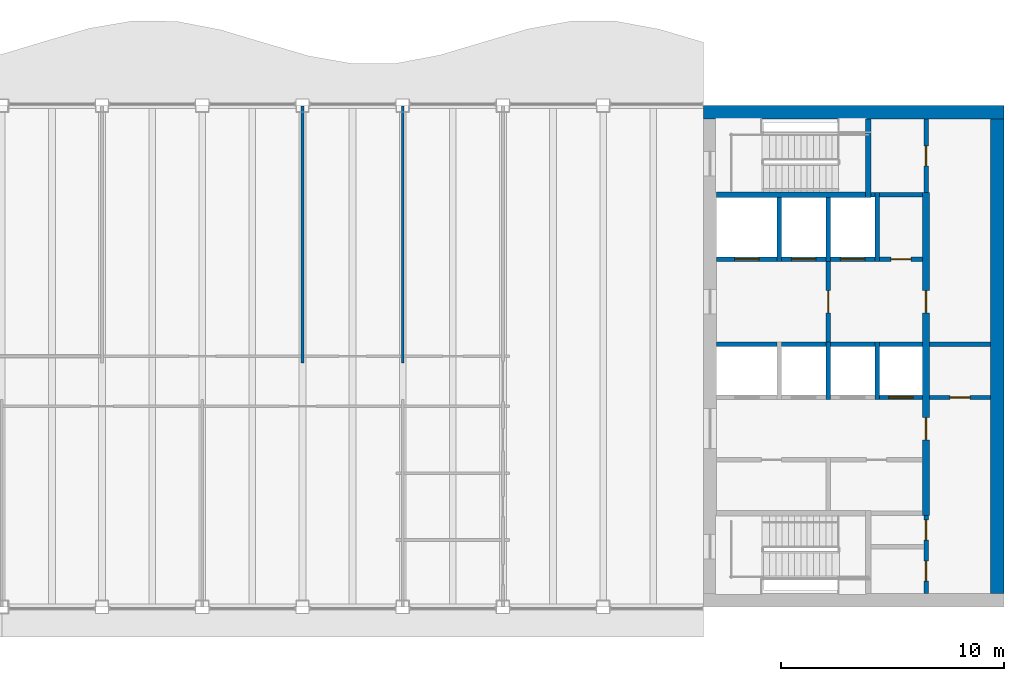
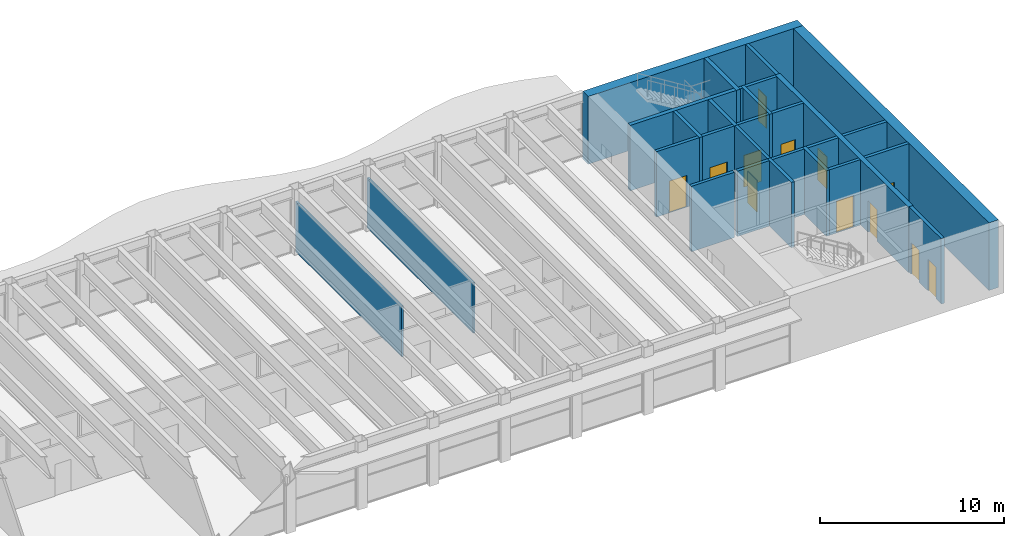
# One storey, part 10 of 14: 28 walls, 12 doors, 12 openings.
"""IFC4 building model written with IfcOpenShell, lengths in metres."""

from ifc_helpers import new_model, si_unit, direction, frame, frame_2d, origin, place, context, subcontext, project, spatial, rectangle, extrude, material, layer, layer_set, type_object, element, fill, save


model = new_model("IFC4")

# Units and contexts
model_context = context("Model", 3, precision=1e-05, world=origin(), true_north=direction((0.0, 1.0)))
body_context = subcontext(model_context, "Body", "Model", "MODEL_VIEW")
ifc_project = project(units=[si_unit("LENGTHUNIT", "METRE"), si_unit("AREAUNIT", "SQUARE_METRE"), si_unit("VOLUMEUNIT", "CUBIC_METRE"), si_unit("PLANEANGLEUNIT", "RADIAN"), si_unit("MASSUNIT", "GRAM", prefix="KILO")], contexts=[model_context])

# Site, building, storey
site_placement = place(None, origin())
site = spatial("IfcSite", under=ifc_project, at=site_placement, CompositionType="ELEMENT")
building_placement = place(site_placement, origin())
building = spatial("IfcBuilding", under=site, at=building_placement, Name="Sennacour Bend Tower", CompositionType="ELEMENT")
storey_placement = place(building_placement, frame((0.0, 0.0, 305.0)))
storey = spatial("IfcBuildingStorey", under=building, at=storey_placement, Name="L70", CompositionType="ELEMENT", Elevation=305.0)

# Walls
ifc_material_1 = material(Name="Concrete C50/60", Category="concrete")
ifc_layer_1 = layer(ifc_material_1, 0.60009765625, Name="Concrete C50/60", Category="concrete")
ifc_layer_set_1 = layer_set([ifc_layer_1], Name="Concrete C50/60")
wall_type_1 = type_object("IfcWallType", Name="Core wall 600 C50/60", PredefinedType="SHEAR", material=ifc_layer_set_1)
wall_1_placement = place(storey_placement, frame((54.0, 22.199951171875, -0.14990234375), z_axis=(0.0, 0.0, 1.0), x_axis=(1.0, 0.0, 0.0)))
element("IfcWall", 1, at=wall_1_placement, inside=storey, type_object=wall_type_1, Name="Core A wall L70 N", PredefinedType="SHEAR", context=body_context, shape_type="SweptSolid", body=[
    extrude(rectangle(XDim=13.5, YDim=0.60009765625, at=frame_2d((6.75, 0.0))), origin(), (0.0, 0.0, 1.0), 4.5),
])
wall_2_placement = place(storey_placement, frame((67.199951171875, 0.60009765625, -0.14990234375), z_axis=(0.0, 0.0, 1.0), x_axis=(0.0, 1.0, 0.0)))
element("IfcWall", 2, at=wall_2_placement, inside=storey, type_object=wall_type_1, Name="Core A wall L70 E", PredefinedType="SHEAR", context=body_context, shape_type="SweptSolid", body=[
    extrude(rectangle(XDim=21.2998046875, YDim=0.60009765625, at=frame_2d((10.64990234375, 0.0))), origin(), (0.0, 0.0, 1.0), 4.5),
])
ifc_material_2 = material(Name="Plasterboard partition on steel studs", Category="steel")
ifc_layer_2 = layer(ifc_material_2, 0.1201171875, Name="Plasterboard partition on steel studs", Category="steel")
ifc_layer_set_2 = layer_set([ifc_layer_2], Name="Plasterboard partition on steel studs")
wall_type_2 = type_object("IfcWallType", Name="Partition 120", PredefinedType="PARTITIONING", material=ifc_layer_set_2)
for number, where, z_axis, x_axis, name in (
    (3, (36.0, 10.949951171875, 0.0), (0.0, 0.0, 1.0), (0.0, 1.0, 0.0), "P-L70-W012a"),
    (4, (40.5, 10.949951171875, 0.0), (0.0, 0.0, 1.0), (0.0, 1.0, 0.0), "P-L70-W014a"),
):
    element("IfcWall", number, at=place(storey_placement, frame(where, z_axis=z_axis, x_axis=x_axis)), inside=storey, type_object=wall_type_2, Name=name, PredefinedType="PARTITIONING", context=body_context, shape_type="SweptSolid", body=[
        extrude(rectangle(XDim=11.5400390625, YDim=0.1201171875, at=frame_2d((5.77001953125, 0.0))), origin(), (0.0, 0.0, 1.0), 3.35888671875),
    ])

# Wall, openings, doors
ifc_material_3 = material(Name="Fire-rated plasterboard partition on steel studs", Category="steel")
ifc_layer_3 = layer(ifc_material_3, 0.199951171875, Name="Fire-rated plasterboard partition on steel studs", Category="steel")
ifc_layer_set_3 = layer_set([ifc_layer_3], Name="Fire-rated plasterboard partition on steel studs")
wall_type_3 = type_object("IfcWallType", Name="Rated partition 200", PredefinedType="PARTITIONING", material=ifc_layer_set_3)
wall_3_placement = place(storey_placement, frame((64.0, 0.60009765625, 0.0), z_axis=(0.0, 0.0, 1.0), x_axis=(0.0, 1.0, 0.0)))
wall_3 = element("IfcWall", 5, at=wall_3_placement, inside=storey, type_object=wall_type_3, Name="P-L70-W026", PredefinedType="PARTITIONING", context=body_context, shape_type="SweptSolid", body=[
    extrude(rectangle(XDim=3.5, YDim=0.199951171875, at=frame_2d((1.75, 0.0))), origin(), (0.0, 0.0, 1.0), 4.35009765625),
])
opening_1_placement = place(wall_3_placement, frame((0.5498046875, 0.0, 0.0)))
opening_1 = element("IfcOpeningElement", 6, at=opening_1_placement, cuts=wall_3, Name="Opening SV", PredefinedType="OPENING", context=body_context, shape_type="SweptSolid", body=[
    extrude(rectangle(XDim=0.89990234375, YDim=2.10009765625, at=frame_2d((0.449951171875, 1.050048828125))), frame((0.0, 0.10986328125, 0.0), z_axis=(0.0, -1.0, 0.0), x_axis=(1.0, 0.0, 0.0)), (0.0, 0.0, 1.0), 0.219970703125),
])
opening_2_placement = place(wall_3_placement, frame((2.39990234375, 0.0, 0.0)))
opening_2 = element("IfcOpeningElement", 7, at=opening_2_placement, cuts=wall_3, Name="Opening SV", PredefinedType="OPENING", context=body_context, shape_type="SweptSolid", body=[
    extrude(rectangle(XDim=0.89990234375, YDim=2.10009765625, at=frame_2d((0.449951171875, 1.050048828125))), frame((0.0, 0.10986328125, 0.0), z_axis=(0.0, -1.0, 0.0), x_axis=(1.0, 0.0, 0.0)), (0.0, 0.0, 1.0), 0.219970703125),
])
ifc_material_4 = material(Name="Painted steel", Category="steel")
door_type_1 = type_object("IfcDoorType", Name="DR-SERVICE-900", OperationType="NOTDEFINED", PredefinedType="DOOR", material=ifc_material_4)
door_1_placement = place(opening_1_placement, origin())
door_1 = element("IfcDoor", 8, at=door_1_placement, inside=storey, type_object=door_type_1, Name="Door", OperationType="SINGLE_SWING_LEFT", OverallHeight=2.10009765625, OverallWidth=0.89990234375, PredefinedType="DOOR", context=body_context, shape_type="SweptSolid", body=[
    extrude(rectangle(XDim=0.89990234375, YDim=2.10009765625, at=frame_2d((0.449951171875, 1.050048828125))), frame((0.0, 0.02490234375, 0.0), z_axis=(0.0, -1.0, 0.0), x_axis=(1.0, 0.0, 0.0)), (0.0, 0.0, 1.0), 0.050048828125),
])
fill(opening_1, door_1)
door_2_placement = place(opening_2_placement, origin())
door_2 = element("IfcDoor", 9, at=door_2_placement, inside=storey, type_object=door_type_1, Name="Door", OperationType="SINGLE_SWING_RIGHT", OverallHeight=2.10009765625, OverallWidth=0.89990234375, PredefinedType="DOOR", context=body_context, shape_type="SweptSolid", body=[
    extrude(rectangle(XDim=0.89990234375, YDim=2.10009765625, at=frame_2d((0.449951171875, 1.050048828125))), frame((0.0, 0.02490234375, 0.0), z_axis=(0.0, -1.0, 0.0), x_axis=(1.0, 0.0, 0.0)), (0.0, 0.0, 1.0), 0.050048828125),
])
fill(opening_2, door_2)

# Wall, opening, door
wall_4_placement = place(storey_placement, frame((64.0, 18.60009765625, 0.0), z_axis=(0.0, 0.0, 1.0), x_axis=(0.0, 1.0, 0.0)))
wall_4 = element("IfcWall", 10, at=wall_4_placement, inside=storey, type_object=wall_type_3, Name="P-L70-W028", PredefinedType="PARTITIONING", context=body_context, shape_type="SweptSolid", body=[
    extrude(rectangle(XDim=3.2998046875, YDim=0.199951171875, at=frame_2d((1.64990234375, 0.0))), origin(), (0.0, 0.0, 1.0), 4.35009765625),
])
opening_3_placement = place(wall_4_placement, frame((1.199951171875, 0.0, 0.0)))
opening_3 = element("IfcOpeningElement", 11, at=opening_3_placement, cuts=wall_4, Name="Opening WD", PredefinedType="OPENING", context=body_context, shape_type="SweptSolid", body=[
    extrude(rectangle(XDim=0.89990234375, YDim=2.10009765625, at=frame_2d((0.449951171875, 1.050048828125))), frame((0.0, 0.10986328125, 0.0), z_axis=(0.0, -1.0, 0.0), x_axis=(1.0, 0.0, 0.0)), (0.0, 0.0, 1.0), 0.219970703125),
])
ifc_material_5 = material(Name="Timber", Category="wood")
door_type_2 = type_object("IfcDoorType", Name="DR-WC-900", OperationType="NOTDEFINED", PredefinedType="DOOR", material=ifc_material_5)
door_3_placement = place(opening_3_placement, origin())
door_3 = element("IfcDoor", 12, at=door_3_placement, inside=storey, type_object=door_type_2, Name="Door", OperationType="SINGLE_SWING_LEFT", OverallHeight=2.10009765625, OverallWidth=0.89990234375, PredefinedType="DOOR", context=body_context, shape_type="SweptSolid", body=[
    extrude(rectangle(XDim=0.89990234375, YDim=2.10009765625, at=frame_2d((0.449951171875, 1.050048828125))), frame((0.0, 0.02490234375, 0.0), z_axis=(0.0, -1.0, 0.0), x_axis=(1.0, 0.0, 0.0)), (0.0, 0.0, 1.0), 0.050048828125),
])
fill(opening_3, door_3)

wall_5_placement = place(storey_placement, frame((64.14990234375, 9.39990234375, 0.0), z_axis=(0.0, 0.0, 1.0), x_axis=(1.0, 0.0, 0.0)))
wall_5 = element("IfcWall", 13, at=wall_5_placement, inside=storey, type_object=wall_type_3, Name="P-L70-W041", PredefinedType="PARTITIONING", context=body_context, shape_type="SweptSolid", body=[
    extrude(rectangle(XDim=2.75, YDim=0.199951171875, at=frame_2d((1.375, 0.0))), origin(), (0.0, 0.0, 1.0), 4.35009765625),
])
opening_4_placement = place(wall_5_placement, frame((0.925048828125, 0.0, 0.0)))
opening_4 = element("IfcOpeningElement", 14, at=opening_4_placement, cuts=wall_5, Name="Opening SV", PredefinedType="OPENING", context=body_context, shape_type="SweptSolid", body=[
    extrude(rectangle(XDim=0.89990234375, YDim=2.10009765625, at=frame_2d((0.449951171875, 1.050048828125))), frame((0.0, 0.10986328125, 0.0), z_axis=(0.0, -1.0, 0.0), x_axis=(1.0, 0.0, 0.0)), (0.0, 0.0, 1.0), 0.219970703125),
])
door_4_placement = place(opening_4_placement, origin())
door_4 = element("IfcDoor", 15, at=door_4_placement, inside=storey, type_object=door_type_1, Name="Door", OperationType="SINGLE_SWING_LEFT", OverallHeight=2.10009765625, OverallWidth=0.89990234375, PredefinedType="DOOR", context=body_context, shape_type="SweptSolid", body=[
    extrude(rectangle(XDim=0.89990234375, YDim=2.10009765625, at=frame_2d((0.449951171875, 1.050048828125))), frame((0.0, 0.02490234375, 0.0), z_axis=(0.0, -1.0, 0.0), x_axis=(1.0, 0.0, 0.0)), (0.0, 0.0, 1.0), 0.050048828125),
])
fill(opening_4, door_4)

# Wall
wall_6_placement = place(storey_placement, frame((64.14990234375, 11.800048828125, 0.0), z_axis=(0.0, 0.0, 1.0), x_axis=(1.0, 0.0, 0.0)))
element("IfcWall", 16, at=wall_6_placement, inside=storey, type_object=wall_type_3, Name="P-L70-W044", PredefinedType="PARTITIONING", context=body_context, shape_type="SweptSolid", body=[
    extrude(rectangle(XDim=2.75, YDim=0.199951171875, at=frame_2d((1.375, 0.0))), origin(), (0.0, 0.0, 1.0), 4.35009765625),
])

# Wall, opening, door
wall_7_placement = place(storey_placement, frame((61.89990234375, 15.60009765625, 0.0), z_axis=(0.0, 0.0, 1.0), x_axis=(1.0, 0.0, 0.0)))
wall_7 = element("IfcWall", 17, at=wall_7_placement, inside=storey, type_object=wall_type_3, Name="P-L70-W046", PredefinedType="PARTITIONING", context=body_context, shape_type="SweptSolid", body=[
    extrude(rectangle(XDim=1.9501953125, YDim=0.199951171875, at=frame_2d((0.97509765625, 0.0))), origin(), (0.0, 0.0, 1.0), 4.35009765625),
])
opening_5_placement = place(wall_7_placement, frame((0.525146484375, 0.0, 0.0)))
opening_5 = element("IfcOpeningElement", 18, at=opening_5_placement, cuts=wall_7, Name="Opening SV", PredefinedType="OPENING", context=body_context, shape_type="SweptSolid", body=[
    extrude(rectangle(XDim=0.89990234375, YDim=2.10009765625, at=frame_2d((0.449951171875, 1.050048828125))), frame((0.0, 0.10986328125, 0.0), z_axis=(0.0, -1.0, 0.0), x_axis=(1.0, 0.0, 0.0)), (0.0, 0.0, 1.0), 0.219970703125),
])
door_5_placement = place(opening_5_placement, origin())
door_5 = element("IfcDoor", 19, at=door_5_placement, inside=storey, type_object=door_type_1, Name="Door", OperationType="SINGLE_SWING_LEFT", OverallHeight=2.10009765625, OverallWidth=0.89990234375, PredefinedType="DOOR", context=body_context, shape_type="SweptSolid", body=[
    extrude(rectangle(XDim=0.89990234375, YDim=2.10009765625, at=frame_2d((0.449951171875, 1.050048828125))), frame((0.0, 0.02490234375, 0.0), z_axis=(0.0, -1.0, 0.0), x_axis=(1.0, 0.0, 0.0)), (0.0, 0.0, 1.0), 0.050048828125),
])
fill(opening_5, door_5)

# Wall
wall_8_placement = place(storey_placement, frame((61.89990234375, 18.5, 0.0), z_axis=(0.0, 0.0, 1.0), x_axis=(1.0, 0.0, 0.0)))
element("IfcWall", 20, at=wall_8_placement, inside=storey, type_object=wall_type_3, Name="P-L70-W049", PredefinedType="PARTITIONING", context=body_context, shape_type="SweptSolid", body=[
    extrude(rectangle(XDim=1.9501953125, YDim=0.199951171875, at=frame_2d((0.97509765625, 0.0))), origin(), (0.0, 0.0, 1.0), 4.35009765625),
])

# Wall, opening, door
ifc_layer_4 = layer(ifc_material_3, 0.199951171875, Name="Fire-rated plasterboard partition on steel studs", Category="steel")
ifc_layer_set_4 = layer_set([ifc_layer_4], Name="Fire-rated plasterboard partition on steel studs")
wall_type_4 = type_object("IfcWallType", Name="Rated partition 200 EI 90", PredefinedType="PARTITIONING", material=ifc_layer_set_4)
wall_9_placement = place(storey_placement, frame((59.60009765625, 11.89990234375, 0.0), z_axis=(0.0, 0.0, 1.0), x_axis=(0.0, 1.0, 0.0)))
wall_9 = element("IfcWall", 21, at=wall_9_placement, inside=storey, type_object=wall_type_4, Name="P-L70-W020", PredefinedType="PARTITIONING", context=body_context, shape_type="SweptSolid", body=[
    extrude(rectangle(XDim=3.60009765625, YDim=0.199951171875, at=frame_2d((1.800048828125, 0.0))), origin(), (0.0, 0.0, 1.0), 4.35009765625),
])
opening_6_placement = place(wall_9_placement, frame((1.300048828125, 0.0, 0.0)))
opening_6 = element("IfcOpeningElement", 22, at=opening_6_placement, cuts=wall_9, Name="Opening FD2", PredefinedType="OPENING", context=body_context, shape_type="SweptSolid", body=[
    extrude(rectangle(XDim=1.0, YDim=2.10009765625, at=frame_2d((0.5, 1.050048828125))), frame((0.0, 0.10986328125, 0.0), z_axis=(0.0, -1.0, 0.0), x_axis=(1.0, 0.0, 0.0)), (0.0, 0.0, 1.0), 0.219970703125),
])
door_type_3 = type_object("IfcDoorType", Name="DR-FFL-1000", OperationType="NOTDEFINED", PredefinedType="DOOR", material=ifc_material_4)
door_6_placement = place(opening_6_placement, origin())
door_6 = element("IfcDoor", 23, at=door_6_placement, inside=storey, type_object=door_type_3, Name="Door", OperationType="SINGLE_SWING_LEFT", OverallHeight=2.10009765625, OverallWidth=1.0, PredefinedType="DOOR", context=body_context, shape_type="SweptSolid", body=[
    extrude(rectangle(XDim=1.0, YDim=2.10009765625, at=frame_2d((0.5, 1.050048828125))), frame((0.0, 0.02490234375, 0.0), z_axis=(0.0, -1.0, 0.0), x_axis=(1.0, 0.0, 0.0)), (0.0, 0.0, 1.0), 0.050048828125),
])
fill(opening_6, door_6)

# Walls
ifc_layer_5 = layer(ifc_material_1, 0.199951171875, Name="Concrete C50/60", Category="concrete")
ifc_layer_set_5 = layer_set([ifc_layer_5], Name="Concrete C50/60")
wall_type_5 = type_object("IfcWallType", Name="Shaft wall 200", PredefinedType="SOLIDWALL", material=ifc_layer_set_5)
wall_10_placement = place(storey_placement, frame((57.39990234375, 15.5, 0.0), z_axis=(0.0, 0.0, 1.0), x_axis=(0.0, 1.0, 0.0)))
element("IfcWall", 24, at=wall_10_placement, inside=storey, type_object=wall_type_5, Name="P-L70-W017", PredefinedType="SOLIDWALL", context=body_context, shape_type="SweptSolid", body=[
    extrude(rectangle(XDim=2.875, YDim=0.199951171875, at=frame_2d((1.4375, 0.0))), origin(), (0.0, 0.0, 1.0), 4.35009765625),
])
wall_11_placement = place(storey_placement, frame((59.60009765625, 9.300048828125, 0.0), z_axis=(0.0, 0.0, 1.0), x_axis=(0.0, 1.0, 0.0)))
element("IfcWall", 25, at=wall_11_placement, inside=storey, type_object=wall_type_5, Name="P-L70-W019", PredefinedType="SOLIDWALL", context=body_context, shape_type="SweptSolid", body=[
    extrude(rectangle(XDim=2.599853515625, YDim=0.199951171875, at=frame_2d((1.2998046875, 0.0))), origin(), (0.0, 0.0, 1.0), 4.35009765625),
])
wall_12_placement = place(storey_placement, frame((59.60009765625, 15.5, 0.0), z_axis=(0.0, 0.0, 1.0), x_axis=(0.0, 1.0, 0.0)))
element("IfcWall", 26, at=wall_12_placement, inside=storey, type_object=wall_type_5, Name="P-L70-W021", PredefinedType="SOLIDWALL", context=body_context, shape_type="SweptSolid", body=[
    extrude(rectangle(XDim=2.875, YDim=0.199951171875, at=frame_2d((1.4375, 0.0))), origin(), (0.0, 0.0, 1.0), 4.35009765625),
])
wall_13_placement = place(storey_placement, frame((61.800048828125, 9.300048828125, 0.0), z_axis=(0.0, 0.0, 1.0), x_axis=(0.0, 1.0, 0.0)))
element("IfcWall", 27, at=wall_13_placement, inside=storey, type_object=wall_type_5, Name="P-L70-W024", PredefinedType="SOLIDWALL", context=body_context, shape_type="SweptSolid", body=[
    extrude(rectangle(XDim=2.599853515625, YDim=0.199951171875, at=frame_2d((1.2998046875, 0.0))), origin(), (0.0, 0.0, 1.0), 4.35009765625),
])
wall_14_placement = place(storey_placement, frame((61.800048828125, 15.5, 0.0), z_axis=(0.0, 0.0, 1.0), x_axis=(0.0, 1.0, 0.0)))
element("IfcWall", 28, at=wall_14_placement, inside=storey, type_object=wall_type_5, Name="P-L70-W025", PredefinedType="SOLIDWALL", context=body_context, shape_type="SweptSolid", body=[
    extrude(rectangle(XDim=3.10009765625, YDim=0.199951171875, at=frame_2d((1.550048828125, 0.0))), origin(), (0.0, 0.0, 1.0), 4.35009765625),
])

# Wall, opening, door
wall_15_placement = place(storey_placement, frame((61.89990234375, 9.39990234375, 0.0), z_axis=(0.0, 0.0, 1.0), x_axis=(1.0, 0.0, 0.0)))
wall_15 = element("IfcWall", 29, at=wall_15_placement, inside=storey, type_object=wall_type_5, Name="P-L70-W040d", PredefinedType="SOLIDWALL", context=body_context, shape_type="SweptSolid", body=[
    extrude(rectangle(XDim=1.9501953125, YDim=0.199951171875, at=frame_2d((0.97509765625, 0.0))), origin(), (0.0, 0.0, 1.0), 4.35009765625),
])
opening_7_placement = place(wall_15_placement, frame((0.425048828125, 0.0, 0.011962890625)))
opening_7 = element("IfcOpeningElement", 30, at=opening_7_placement, cuts=wall_15, Name="Opening LD", PredefinedType="OPENING", context=body_context, shape_type="SweptSolid", body=[
    extrude(rectangle(XDim=1.10009765625, YDim=2.10009765625, at=frame_2d((0.550048828125, 1.050048828125))), frame((0.0, 0.10986328125, 0.0), z_axis=(0.0, -1.0, 0.0), x_axis=(1.0, 0.0, 0.0)), (0.0, 0.0, 1.0), 0.219970703125),
])
ifc_material_6 = material(Name="Stainless steel", Category="steel")
door_type_4 = type_object("IfcDoorType", Name="DR-LANDING-1100", OperationType="NOTDEFINED", PredefinedType="DOOR", material=ifc_material_6)
door_7_placement = place(opening_7_placement, origin())
door_7 = element("IfcDoor", 31, at=door_7_placement, inside=storey, type_object=door_type_4, Name="Lift landing door HA4", OperationType="SLIDING_TO_RIGHT", OverallHeight=2.10009765625, OverallWidth=1.10009765625, PredefinedType="DOOR", context=body_context, shape_type="SweptSolid", body=[
    extrude(rectangle(XDim=1.10009765625, YDim=2.10009765625, at=frame_2d((0.550048828125, 1.050048828125))), frame((0.0, 0.02490234375, 0.0), z_axis=(0.0, -1.0, 0.0), x_axis=(1.0, 0.0, 0.0)), (0.0, 0.0, 1.0), 0.050048828125),
])
fill(opening_7, door_7)

# Walls
wall_16_placement = place(storey_placement, frame((54.60009765625, 11.800048828125, 0.0), z_axis=(0.0, 0.0, 1.0), x_axis=(1.0, 0.0, 0.0)))
element("IfcWall", 32, at=wall_16_placement, inside=storey, type_object=wall_type_5, Name="P-L70-W043a", PredefinedType="SOLIDWALL", context=body_context, shape_type="SweptSolid", body=[
    extrude(rectangle(XDim=2.699951171875, YDim=0.199951171875, at=frame_2d((1.35009765625, 0.0))), origin(), (0.0, 0.0, 1.0), 4.35009765625),
])
for number, where, z_axis, x_axis, name in (
    (33, (57.5, 11.800048828125, 0.0), (0.0, 0.0, 1.0), (1.0, 0.0, 0.0), "P-L70-W043b"),
    (34, (59.699951171875, 11.800048828125, 0.0), (0.0, 0.0, 1.0), (1.0, 0.0, 0.0), "P-L70-W043c"),
):
    element("IfcWall", number, at=place(storey_placement, frame(where, z_axis=z_axis, x_axis=x_axis)), inside=storey, type_object=wall_type_5, Name=name, PredefinedType="SOLIDWALL", context=body_context, shape_type="SweptSolid", body=[
        extrude(rectangle(XDim=2.0, YDim=0.199951171875, at=frame_2d((1.0, 0.0))), origin(), (0.0, 0.0, 1.0), 4.35009765625),
    ])
wall_17_placement = place(storey_placement, frame((61.89990234375, 11.800048828125, 0.0), z_axis=(0.0, 0.0, 1.0), x_axis=(1.0, 0.0, 0.0)))
element("IfcWall", 35, at=wall_17_placement, inside=storey, type_object=wall_type_5, Name="P-L70-W043d", PredefinedType="SOLIDWALL", context=body_context, shape_type="SweptSolid", body=[
    extrude(rectangle(XDim=1.9501953125, YDim=0.199951171875, at=frame_2d((0.97509765625, 0.0))), origin(), (0.0, 0.0, 1.0), 4.35009765625),
])

# Wall, opening, door
wall_18_placement = place(storey_placement, frame((54.60009765625, 15.60009765625, 0.0), z_axis=(0.0, 0.0, 1.0), x_axis=(1.0, 0.0, 0.0)))
wall_18 = element("IfcWall", 36, at=wall_18_placement, inside=storey, type_object=wall_type_5, Name="P-L70-W045a", PredefinedType="SOLIDWALL", context=body_context, shape_type="SweptSolid", body=[
    extrude(rectangle(XDim=2.699951171875, YDim=0.199951171875, at=frame_2d((1.35009765625, 0.0))), origin(), (0.0, 0.0, 1.0), 4.35009765625),
])
opening_8_placement = place(wall_18_placement, frame((0.7998046875, 0.0, 0.011962890625)))
opening_8 = element("IfcOpeningElement", 37, at=opening_8_placement, cuts=wall_18, Name="Opening FLD", PredefinedType="OPENING", context=body_context, shape_type="SweptSolid", body=[
    extrude(rectangle(XDim=1.10009765625, YDim=2.10009765625, at=frame_2d((0.550048828125, 1.050048828125))), frame((0.0, 0.10986328125, 0.0), z_axis=(0.0, -1.0, 0.0), x_axis=(1.0, 0.0, 0.0)), (0.0, 0.0, 1.0), 0.219970703125),
])
door_type_5 = type_object("IfcDoorType", Name="DR-FF-LANDING-1100", OperationType="NOTDEFINED", PredefinedType="DOOR", material=ifc_material_6)
door_8_placement = place(opening_8_placement, origin())
door_8 = element("IfcDoor", 38, at=door_8_placement, inside=storey, type_object=door_type_5, Name="Fire service lift landing door FA1", OperationType="SLIDING_TO_LEFT", OverallHeight=2.10009765625, OverallWidth=1.10009765625, PredefinedType="DOOR", context=body_context, shape_type="SweptSolid", body=[
    extrude(rectangle(XDim=1.10009765625, YDim=2.10009765625, at=frame_2d((0.550048828125, 1.050048828125))), frame((0.0, 0.02490234375, 0.0), z_axis=(0.0, -1.0, 0.0), x_axis=(1.0, 0.0, 0.0)), (0.0, 0.0, 1.0), 0.050048828125),
])
fill(opening_8, door_8)

wall_19_placement = place(storey_placement, frame((57.5, 15.60009765625, 0.0), z_axis=(0.0, 0.0, 1.0), x_axis=(1.0, 0.0, 0.0)))
wall_19 = element("IfcWall", 39, at=wall_19_placement, inside=storey, type_object=wall_type_5, Name="P-L70-W045b", PredefinedType="SOLIDWALL", context=body_context, shape_type="SweptSolid", body=[
    extrude(rectangle(XDim=2.0, YDim=0.199951171875, at=frame_2d((1.0, 0.0))), origin(), (0.0, 0.0, 1.0), 4.35009765625),
])
opening_9_placement = place(wall_19_placement, frame((0.449951171875, 0.0, 0.011962890625)))
opening_9 = element("IfcOpeningElement", 40, at=opening_9_placement, cuts=wall_19, Name="Opening FLD", PredefinedType="OPENING", context=body_context, shape_type="SweptSolid", body=[
    extrude(rectangle(XDim=1.10009765625, YDim=2.10009765625, at=frame_2d((0.550048828125, 1.050048828125))), frame((0.0, 0.10986328125, 0.0), z_axis=(0.0, -1.0, 0.0), x_axis=(1.0, 0.0, 0.0)), (0.0, 0.0, 1.0), 0.219970703125),
])
door_9_placement = place(opening_9_placement, origin())
door_9 = element("IfcDoor", 41, at=door_9_placement, inside=storey, type_object=door_type_5, Name="Fire service lift landing door FA2", OperationType="SLIDING_TO_RIGHT", OverallHeight=2.10009765625, OverallWidth=1.10009765625, PredefinedType="DOOR", context=body_context, shape_type="SweptSolid", body=[
    extrude(rectangle(XDim=1.10009765625, YDim=2.10009765625, at=frame_2d((0.550048828125, 1.050048828125))), frame((0.0, 0.02490234375, 0.0), z_axis=(0.0, -1.0, 0.0), x_axis=(1.0, 0.0, 0.0)), (0.0, 0.0, 1.0), 0.050048828125),
])
fill(opening_9, door_9)

wall_20_placement = place(storey_placement, frame((59.699951171875, 15.60009765625, 0.0), z_axis=(0.0, 0.0, 1.0), x_axis=(1.0, 0.0, 0.0)))
wall_20 = element("IfcWall", 42, at=wall_20_placement, inside=storey, type_object=wall_type_5, Name="P-L70-W045c", PredefinedType="SOLIDWALL", context=body_context, shape_type="SweptSolid", body=[
    extrude(rectangle(XDim=2.0, YDim=0.199951171875, at=frame_2d((1.0, 0.0))), origin(), (0.0, 0.0, 1.0), 4.35009765625),
])
opening_10_placement = place(wall_20_placement, frame((0.449951171875, 0.0, 0.011962890625)))
opening_10 = element("IfcOpeningElement", 43, at=opening_10_placement, cuts=wall_20, Name="Opening LD", PredefinedType="OPENING", context=body_context, shape_type="SweptSolid", body=[
    extrude(rectangle(XDim=1.10009765625, YDim=2.10009765625, at=frame_2d((0.550048828125, 1.050048828125))), frame((0.0, 0.10986328125, 0.0), z_axis=(0.0, -1.0, 0.0), x_axis=(1.0, 0.0, 0.0)), (0.0, 0.0, 1.0), 0.219970703125),
])
door_10_placement = place(opening_10_placement, origin())
door_10 = element("IfcDoor", 44, at=door_10_placement, inside=storey, type_object=door_type_4, Name="Lift landing door HA5", OperationType="SLIDING_TO_LEFT", OverallHeight=2.10009765625, OverallWidth=1.10009765625, PredefinedType="DOOR", context=body_context, shape_type="SweptSolid", body=[
    extrude(rectangle(XDim=1.10009765625, YDim=2.10009765625, at=frame_2d((0.550048828125, 1.050048828125))), frame((0.0, 0.02490234375, 0.0), z_axis=(0.0, -1.0, 0.0), x_axis=(1.0, 0.0, 0.0)), (0.0, 0.0, 1.0), 0.050048828125),
])
fill(opening_10, door_10)

# Wall
wall_21_placement = place(storey_placement, frame((61.52490234375, 18.5, 0.0), z_axis=(0.0, 0.0, 1.0), x_axis=(1.0, 0.0, 0.0)))
element("IfcWall", 45, at=wall_21_placement, inside=storey, type_object=wall_type_5, Name="P-L70-W048", PredefinedType="SOLIDWALL", context=body_context, shape_type="SweptSolid", body=[
    extrude(rectangle(XDim=0.175048828125, YDim=0.199951171875, at=frame_2d((0.08740234375, 0.0))), origin(), (0.0, 0.0, 1.0), 4.35009765625),
])

# Wall, openings, doors
ifc_material_7 = material(Name="Concrete C60/75", Category="concrete")
ifc_layer_6 = layer(ifc_material_7, 0.300048828125, Name="Concrete C60/75", Category="concrete")
ifc_layer_set_6 = layer_set([ifc_layer_6], Name="Concrete C60/75")
wall_type_6 = type_object("IfcWallType", Name="Spine wall 300", PredefinedType="SHEAR", material=ifc_layer_set_6)
wall_22_placement = place(storey_placement, frame((64.0, 4.10009765625, 0.0), z_axis=(0.0, 0.0, 1.0), x_axis=(0.0, 1.0, 0.0)))
wall_22 = element("IfcWall", 46, at=wall_22_placement, inside=storey, type_object=wall_type_6, Name="P-L70-W027", PredefinedType="SHEAR", context=body_context, shape_type="SweptSolid", body=[
    extrude(rectangle(XDim=14.5, YDim=0.300048828125, at=frame_2d((7.25, 0.0))), origin(), (0.0, 0.0, 1.0), 4.35009765625),
])
opening_11_placement = place(wall_22_placement, frame((3.39990234375, 0.0, 0.0)))
opening_11 = element("IfcOpeningElement", 47, at=opening_11_placement, cuts=wall_22, Name="Opening CD2", PredefinedType="OPENING", context=body_context, shape_type="SweptSolid", body=[
    extrude(rectangle(XDim=1.0, YDim=2.10009765625, at=frame_2d((0.5, 1.050048828125))), frame((0.0, 0.16015625, 0.0), z_axis=(0.0, -1.0, 0.0), x_axis=(1.0, 0.0, 0.0)), (0.0, 0.0, 1.0), 0.320068359375),
])
opening_12_placement = place(wall_22_placement, frame((9.099853515625, 0.0, 0.0)))
opening_12 = element("IfcOpeningElement", 48, at=opening_12_placement, cuts=wall_22, Name="Opening CD2", PredefinedType="OPENING", context=body_context, shape_type="SweptSolid", body=[
    extrude(rectangle(XDim=1.0, YDim=2.10009765625, at=frame_2d((0.5, 1.050048828125))), frame((0.0, 0.16015625, 0.0), z_axis=(0.0, -1.0, 0.0), x_axis=(1.0, 0.0, 0.0)), (0.0, 0.0, 1.0), 0.320068359375),
])
door_type_6 = type_object("IfcDoorType", Name="DR-LOBBY-1000", OperationType="NOTDEFINED", PredefinedType="DOOR", material=ifc_material_4)
door_11_placement = place(opening_11_placement, origin())
door_11 = element("IfcDoor", 49, at=door_11_placement, inside=storey, type_object=door_type_6, Name="Door", OperationType="SINGLE_SWING_LEFT", OverallHeight=2.10009765625, OverallWidth=1.0, PredefinedType="DOOR", context=body_context, shape_type="SweptSolid", body=[
    extrude(rectangle(XDim=1.0, YDim=2.10009765625, at=frame_2d((0.5, 1.050048828125))), frame((0.0, 0.02490234375, 0.0), z_axis=(0.0, -1.0, 0.0), x_axis=(1.0, 0.0, 0.0)), (0.0, 0.0, 1.0), 0.050048828125),
])
fill(opening_11, door_11)
door_12_placement = place(opening_12_placement, origin())
door_12 = element("IfcDoor", 50, at=door_12_placement, inside=storey, type_object=door_type_6, Name="Door", OperationType="SINGLE_SWING_RIGHT", OverallHeight=2.10009765625, OverallWidth=1.0, PredefinedType="DOOR", context=body_context, shape_type="SweptSolid", body=[
    extrude(rectangle(XDim=1.0, YDim=2.10009765625, at=frame_2d((0.5, 1.050048828125))), frame((0.0, 0.02490234375, 0.0), z_axis=(0.0, -1.0, 0.0), x_axis=(1.0, 0.0, 0.0)), (0.0, 0.0, 1.0), 0.050048828125),
])
fill(opening_12, door_12)

# Walls
ifc_layer_7 = layer(ifc_material_7, 0.25, Name="Concrete C60/75", Category="concrete")
ifc_layer_set_7 = layer_set([ifc_layer_7], Name="Concrete C60/75")
wall_type_7 = type_object("IfcWallType", Name="Stair wall 250", PredefinedType="SHEAR", material=ifc_layer_set_7)
wall_23_placement = place(storey_placement, frame((61.39990234375, 18.375, 0.0), z_axis=(0.0, 0.0, 1.0), x_axis=(0.0, 1.0, 0.0)))
element("IfcWall", 51, at=wall_23_placement, inside=storey, type_object=wall_type_7, Name="P-L70-W023", PredefinedType="SHEAR", context=body_context, shape_type="SweptSolid", body=[
    extrude(rectangle(XDim=3.52490234375, YDim=0.25, at=frame_2d((1.762451171875, 0.0))), origin(), (0.0, 0.0, 1.0), 4.35009765625),
])
wall_24_placement = place(storey_placement, frame((54.60009765625, 18.5, 0.0), z_axis=(0.0, 0.0, 1.0), x_axis=(1.0, 0.0, 0.0)))
element("IfcWall", 52, at=wall_24_placement, inside=storey, type_object=wall_type_7, Name="P-L70-W047", PredefinedType="SHEAR", context=body_context, shape_type="SweptSolid", body=[
    extrude(rectangle(XDim=6.6748046875, YDim=0.25, at=frame_2d((3.33740234375, 0.0))), origin(), (0.0, 0.0, 1.0), 4.35009765625),
])

save(model, "model.ifc")
